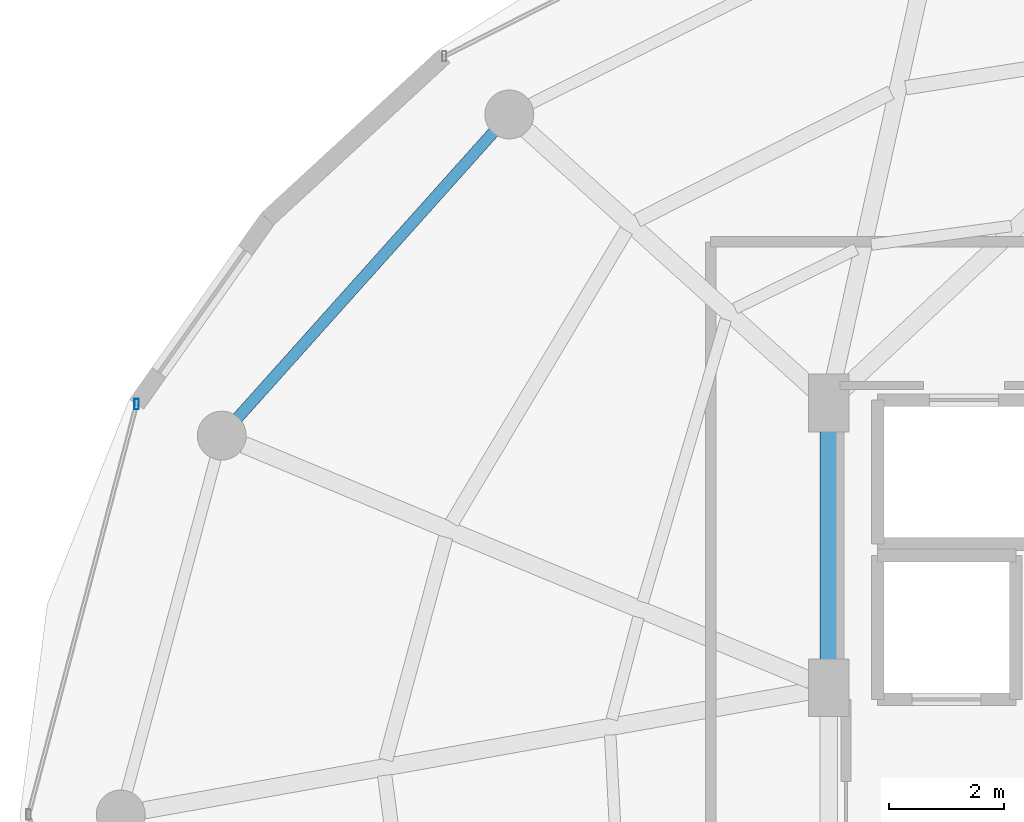
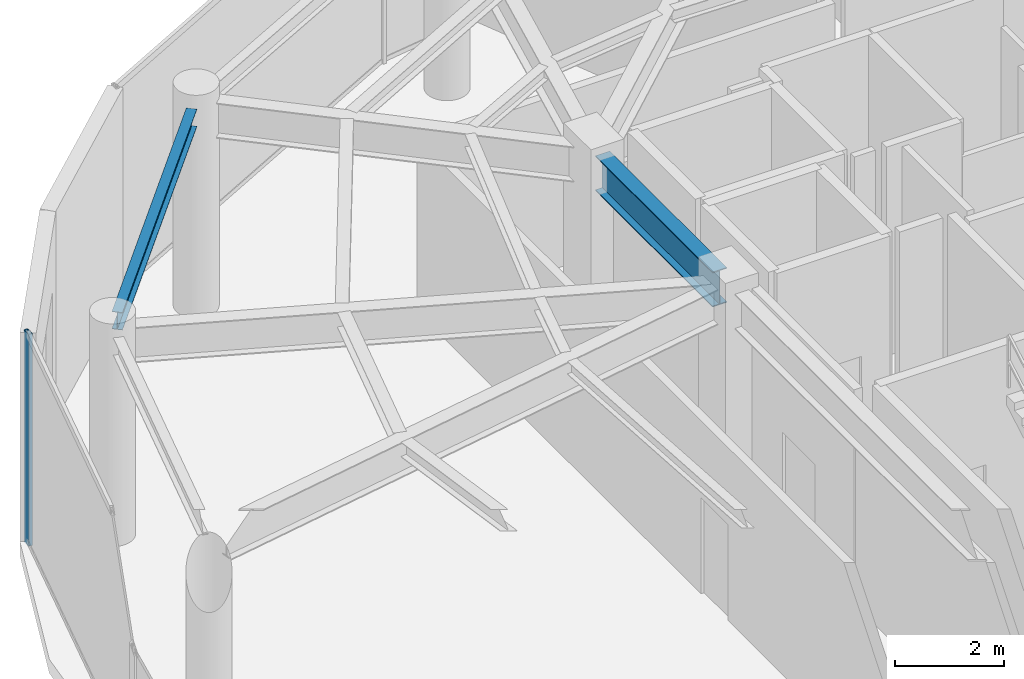
# One storey, part 8 of 24: 2 beams, 1 member, 1 element without a shape of its own.
"""IFC4 building model written with IfcOpenShell, lengths in metres."""

import ifcopenshell
import ifcopenshell.guid

model = None  # the IFC model being written
_history = None  # IfcOwnerHistory: only IFC2X3 demands one
_inside = {}  # id of a spatial element -> (the spatial element, [elements in it])
_under = {}  # id of a project, library or spatial element -> (it, [spatial elements below it])
_declared = {}  # id of a project -> (the project, [libraries it declares])
_typed = {}  # id of a type object -> (the type object, [elements of that type])
_made_of = {}  # id of a material, layer set ... -> (it, [elements and type objects made of it])


def new_model(schema):
    """Start an empty IFC model of exactly this schema.

    Asked for "IFC4X3", IfcOpenShell would pick the latest addendum, in which some entities
    have other attributes; the version numbers below select the first issue.
    IFC2X3 requires an IfcOwnerHistory on every rooted entity: one is made here for all.
    """
    global model, _history
    if schema == "IFC4X3":
        model = ifcopenshell.file(schema_version=(4, 3, 0, 0))
    else:
        model = ifcopenshell.file(schema=schema)
    _inside.clear()
    _under.clear()
    _declared.clear()
    _typed.clear()
    _made_of.clear()
    _history = None
    if model.schema == "IFC2X3":
        org = make("IfcOrganization", Name="unknown")
        user = make(
            "IfcPersonAndOrganization",
            ThePerson=make("IfcPerson", FamilyName="unknown"),
            TheOrganization=org,
        )
        app = make(
            "IfcApplication",
            ApplicationDeveloper=org,
            Version="unknown",
            ApplicationFullName="unknown",
            ApplicationIdentifier="unknown",
        )
        _history = make(
            "IfcOwnerHistory",
            OwningUser=user,
            OwningApplication=app,
            ChangeAction="ADDED",
            CreationDate=0,
        )
    return model


def make(cls, **values):
    """One entity of the class cls with the attributes given. An attribute that is None is left unset."""
    return model.create_entity(
        cls, **{name: value for name, value in values.items() if value is not None}
    )


def rooted(cls, **values):
    """An entity with a GlobalId (a new one), such as an element, a storey or a relation."""
    return make(cls, GlobalId=ifcopenshell.guid.new(), OwnerHistory=_history, **values)


def si_unit(unit_type, name, prefix=None):
    """IfcSIUnit, for example si_unit("LENGTHUNIT", "METRE", prefix="MILLI")."""
    return make("IfcSIUnit", UnitType=unit_type, Prefix=prefix, Name=name)


def assignment(units):
    """IfcUnitAssignment: the units of a project."""
    return None if units is None else make("IfcUnitAssignment", Units=units)


def point(xyz):
    """IfcCartesianPoint."""
    return None if xyz is None else make("IfcCartesianPoint", Coordinates=xyz)


def direction(xyz):
    """IfcDirection."""
    return None if xyz is None else make("IfcDirection", DirectionRatios=xyz)


def frame(location, z_axis=None, x_axis=None):
    """IfcAxis2Placement3D, a coordinate frame: its origin and axes. An axis left out is left unset."""
    return make(
        "IfcAxis2Placement3D",
        Location=point(location),
        Axis=direction(z_axis),
        RefDirection=direction(x_axis),
    )


def frame_2d(location, x_axis=None):
    """IfcAxis2Placement2D, a coordinate frame in the plane: its origin and x axis."""
    return make(
        "IfcAxis2Placement2D", Location=point(location), RefDirection=direction(x_axis)
    )


def origin():
    """The frame at (0, 0, 0) with its axes left unset."""
    return frame((0.0, 0.0, 0.0))


def origin_2d():
    """The frame at (0, 0) in the plane with its x axis left unset."""
    return frame_2d((0.0, 0.0))


def place(relative_to, where):
    """IfcLocalPlacement: puts the frame where relative to a parent placement (None: the world)."""
    return make(
        "IfcLocalPlacement", PlacementRelTo=relative_to, RelativePlacement=where
    )


def context(
    kind, dimensions, precision=None, world=None, true_north=None, identifier=None
):
    """IfcGeometricRepresentationContext, for example the 3D "Model" context."""
    return make(
        "IfcGeometricRepresentationContext",
        ContextIdentifier=identifier,
        ContextType=kind,
        CoordinateSpaceDimension=dimensions,
        Precision=precision,
        WorldCoordinateSystem=world,
        TrueNorth=true_north,
    )


def subcontext(parent, identifier, kind, view, scale=None):
    """IfcGeometricRepresentationSubContext, for example "Body" below "Model"."""
    return make(
        "IfcGeometricRepresentationSubContext",
        ContextIdentifier=identifier,
        ContextType=kind,
        ParentContext=parent,
        TargetScale=scale,
        TargetView=view,
    )


def project(units=None, contexts=None):
    """IfcProject with its units and contexts."""
    return rooted(
        "IfcProject",
        Name="project",
        RepresentationContexts=contexts,
        UnitsInContext=assignment(units),
    )


def spatial(cls, under=None, at=None, **own):
    """A site, building, storey or space (cls), placed at a placement, below another one or the project."""
    s = rooted(cls, ObjectPlacement=at, **own)
    if under is not None:
        _under.setdefault(under.id(), (under, []))[1].append(s)
    return s


def profile(cls, at=None, kind="AREA", **sizes):
    """A parametric profile (cls). Its sizes go by their IFC names, for example OverallWidth=200.0."""
    return make(cls, ProfileType=kind, Position=at, **sizes)


def hollow_rectangle(**sizes):
    """IfcRectangleHollowProfileDef."""
    return profile("IfcRectangleHollowProfileDef", **sizes)


def i_section(**sizes):
    """IfcIShapeProfileDef."""
    return profile("IfcIShapeProfileDef", **sizes)


def extrude(swept, where, along, depth):
    """IfcExtrudedAreaSolid: the profile swept, set in the frame where, extruded along a direction by depth."""
    return make(
        "IfcExtrudedAreaSolid",
        SweptArea=swept,
        Position=where,
        ExtrudedDirection=direction(along),
        Depth=depth,
    )


def shape(context_of_items, identifier, shape_type, items):
    """IfcShapeRepresentation: the items that make up one representation, for example the "Body"."""
    return make(
        "IfcShapeRepresentation",
        ContextOfItems=context_of_items,
        RepresentationIdentifier=identifier,
        RepresentationType=shape_type,
        Items=items,
    )


def material(Name=None, Category=None):
    """IfcMaterial."""
    return make("IfcMaterial", Name=Name, Category=Category)


def material_profile(
    of_material, cross_section, Name=None, Category=None, Priority=None
):
    """IfcMaterialProfile: a cross section and its material."""
    return make(
        "IfcMaterialProfile",
        Name=Name,
        Material=of_material,
        Profile=cross_section,
        Priority=Priority,
        Category=Category,
    )


def profile_set(profiles, Name=None, composite=None):
    """IfcMaterialProfileSet."""
    return make(
        "IfcMaterialProfileSet",
        Name=Name,
        MaterialProfiles=profiles,
        CompositeProfile=composite,
    )


def made_of(thing, what):
    """Note that an element or type object is made of a material, layer set ...; save() writes the relation."""
    if what is not None:
        _made_of.setdefault(what.id(), (what, []))[1].append(thing)
    return thing


def type_object(cls, material=None, **own):
    """A type object (cls), such as IfcWallType, which elements share."""
    return made_of(rooted(cls, **own), material)


def element(
    cls,
    number,
    at=None,
    inside=None,
    cuts=None,
    type_object=None,
    material=None,
    context=None,
    identifier="Body",
    shape_type=None,
    held_by="IfcProductDefinitionShape",
    body=None,
    shapes=None,
    **own,
):
    """One element of the class cls, such as IfcWall. Its Tag is "e" and its number.

    at: its placement. inside: the storey or other place that contains it. cuts: it is an
    opening in that element (IfcRelVoidsElement). A single representation is given by context,
    identifier, shape_type and body (its items); several are given by shapes. held_by: the class
    of the entity that holds the representations. save() writes the other relations.
    """
    e = rooted(cls, Tag="e%d" % number, ObjectPlacement=at, **own)
    if body is not None:
        shapes = [shape(context, identifier, shape_type, body)]
    if shapes is not None:
        e.Representation = make(held_by, Representations=shapes)
    if inside is not None:
        _inside.setdefault(inside.id(), (inside, []))[1].append(e)
    if cuts is not None:
        rooted(
            "IfcRelVoidsElement", RelatingBuildingElement=cuts, RelatedOpeningElement=e
        )
    if type_object is not None:
        _typed.setdefault(type_object.id(), (type_object, []))[1].append(e)
    return made_of(e, material)


def aggregate(whole, parts):
    """IfcRelAggregates: a whole, such as a stair, and the parts it consists of."""
    return rooted("IfcRelAggregates", RelatingObject=whole, RelatedObjects=parts)


def save(model, path):
    """Write the relations noted so far, then the file.

    IfcRelAggregates (storeys below a building ...), IfcRelContainedInSpatialStructure (elements
    in a storey), IfcRelDefinesByType, IfcRelAssociatesMaterial and IfcRelDeclares: one each for
    every whole, place, type object, material and project.
    """
    for whole, parts in _under.values():
        aggregate(whole, parts)
    for where, things in _inside.values():
        rooted(
            "IfcRelContainedInSpatialStructure",
            RelatedElements=things,
            RelatingStructure=where,
        )
    for kind, things in _typed.values():
        rooted("IfcRelDefinesByType", RelatedObjects=things, RelatingType=kind)
    for what, things in _made_of.values():
        rooted("IfcRelAssociatesMaterial", RelatedObjects=things, RelatingMaterial=what)
    for by, libraries in _declared.values():
        rooted("IfcRelDeclares", RelatingContext=by, RelatedDefinitions=libraries)
    model.write(path)


model = new_model("IFC4")

# Units and contexts
model_context = context("Model", 3, precision=1e-05, world=origin(), true_north=direction((0.0, 1.0)))
body_context = subcontext(model_context, "Body", "Model", "MODEL_VIEW")
ifc_project = project(units=[si_unit("LENGTHUNIT", "METRE"), si_unit("AREAUNIT", "SQUARE_METRE"), si_unit("VOLUMEUNIT", "CUBIC_METRE"), si_unit("PLANEANGLEUNIT", "RADIAN"), si_unit("MASSUNIT", "GRAM", prefix="KILO")], contexts=[model_context])

# Site, building, storey
site_placement = place(None, origin())
site = spatial("IfcSite", under=ifc_project, at=site_placement, CompositionType="ELEMENT")
building_placement = place(site_placement, origin())
building = spatial("IfcBuilding", under=site, at=building_placement, Name="Vorneva Point Tower", CompositionType="ELEMENT")
storey_placement = place(building_placement, frame((0.0, 0.0, 285.39990234375)))
storey = spatial("IfcBuildingStorey", under=building, at=storey_placement, Name="L77", CompositionType="ELEMENT", Elevation=285.39990234375)

# Beams
ifc_material_1 = material(Name="Steel S355", Category="steel")
ifc_material_profile_1 = material_profile(ifc_material_1, i_section(OverallWidth=0.300048828125, OverallDepth=0.7880859375, WebThickness=0.014404296875, FlangeThickness=0.02197265625, at=origin_2d()), Name="80Sh1")
ifc_profile_set_1 = profile_set([ifc_material_profile_1], Name="Steel S355")
beam_type_1 = type_object("IfcBeamType", Name="BM-GRD-80Sh1", PredefinedType="USERDEFINED", material=ifc_profile_set_1)
beam_1_placement = place(storey_placement, frame((27.25, 28.52001953125, 4.296142578125), z_axis=(0.0, 1.0, 0.0), x_axis=(-1.0, 0.0, 0.0)))
element("IfcBeam", 1, at=beam_1_placement, inside=storey, type_object=beam_type_1, Name="L77 Core Tie Girder CT2", ObjectType="GIRDER", PredefinedType="USERDEFINED", context=body_context, shape_type="SweptSolid", body=[
    extrude(i_section(OverallWidth=0.300048828125, OverallDepth=0.7880859375, WebThickness=0.014404296875, FlangeThickness=0.02197265625, at=origin_2d()), origin(), (0.0, 0.0, 1.0), 4.31005859375),
])
ifc_material_profile_2 = material_profile(ifc_material_1, i_section(OverallWidth=0.198974609375, OverallDepth=0.39599609375, WebThickness=0.007080078125, FlangeThickness=0.010986328125, at=origin_2d()), Name="40B1")
ifc_profile_set_2 = profile_set([ifc_material_profile_2], Name="Steel S355")
beam_type_2 = type_object("IfcBeamType", Name="BM-SPN-40B1", PredefinedType="SPANDREL", material=ifc_profile_set_2)
beam_2_placement = place(storey_placement, frame((21.427734375, 37.856689453125, 4.4921875), z_axis=(-0.667108282638, -0.744960763554, 0.0), x_axis=(0.744960763554, -0.667108282638, 0.0)))
element("IfcBeam", 2, at=beam_2_placement, inside=storey, type_object=beam_type_2, Name="L77 Perimeter Spandrel Ring Beam 07", PredefinedType="SPANDREL", context=body_context, shape_type="SweptSolid", body=[
    extrude(i_section(OverallWidth=0.198974609375, OverallDepth=0.39599609375, WebThickness=0.007080078125, FlangeThickness=0.010986328125, at=origin_2d()), origin(), (0.0, 0.0, 1.0), 6.670166015625),
])

# Curtain wall, member
ifc_material_2 = material(Name="Pale anodised aluminium", Category="aluminium")
curtain_wall_type = type_object("IfcCurtainWallType", Name="CW-OBS-SYS", PredefinedType="NOTDEFINED", material=ifc_material_2)
curtain_wall_placement = place(storey_placement, origin())
curtain_wall = element("IfcCurtainWall", 3, at=curtain_wall_placement, inside=storey, type_object=curtain_wall_type, Name="L77 Unitised Curtain Wall CW-L77-R03", PredefinedType="NOTDEFINED")
ifc_material_profile_3 = material_profile(ifc_material_2, hollow_rectangle(XDim=0.074951171875, YDim=0.179931640625, WallThickness=0.00390625, at=origin_2d()), Name="AL-MUL 180x75x4")
ifc_profile_set_3 = profile_set([ifc_material_profile_3], Name="Pale anodised aluminium")
member_type = type_object("IfcMemberType", Name="CW-MUL-180", PredefinedType="MULLION", material=ifc_profile_set_3)
member_placement = place(storey_placement, frame((15.226318359375, 33.12939453125, -0.039794921875), z_axis=(0.0, 0.0, 1.0), x_axis=(1.0, 0.0, 0.0)))
member = element("IfcMember", 4, at=member_placement, type_object=member_type, Name="CW-L77-R03 Mullion 01", PredefinedType="MULLION", context=body_context, shape_type="SweptSolid", body=[
    extrude(hollow_rectangle(XDim=0.074951171875, YDim=0.179931640625, WallThickness=0.00390625, at=origin_2d()), origin(), (0.0, 0.0, 1.0), 4.760009765625),
])
aggregate(curtain_wall, [member])

save(model, "model.ifc")
